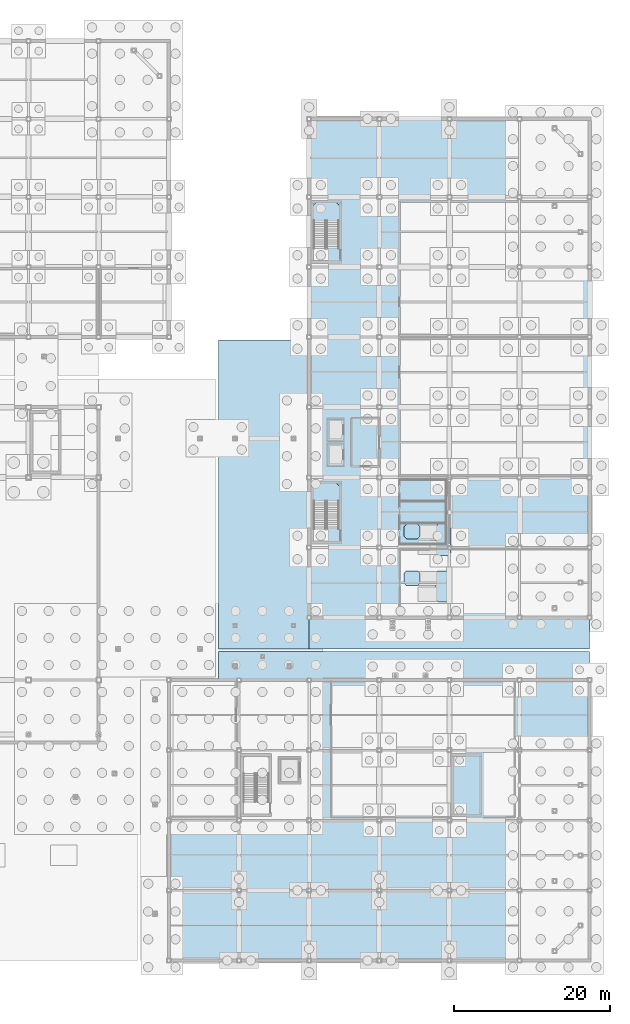
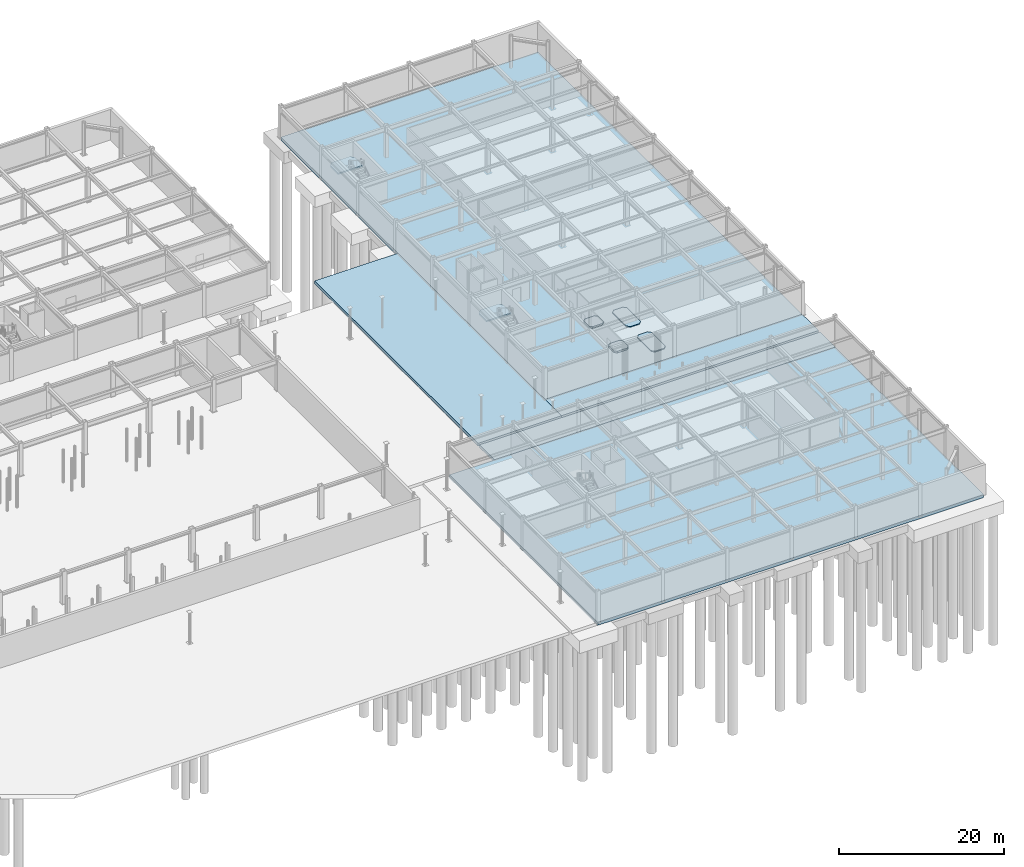
# One storey, part 45 of 74: 11 slabs, 4 elements without a shape of their own.
"""IFC4 building model written with IfcOpenShell, lengths in metres."""

from ifc_helpers import new_model, si_unit, direction, frame, origin, place, context, subcontext, project, spatial, polyline, outline, extrude, material, layer, layer_set, type_object, element, aggregate, save


model = new_model("IFC4")

# Units and contexts
model_context = context("Model", 3, precision=1e-05, world=origin(), true_north=direction((0.0, 1.0)))
body_context = subcontext(model_context, "Body", "Model", "MODEL_VIEW")
ifc_project = project(units=[si_unit("LENGTHUNIT", "METRE"), si_unit("AREAUNIT", "SQUARE_METRE"), si_unit("VOLUMEUNIT", "CUBIC_METRE"), si_unit("PLANEANGLEUNIT", "RADIAN"), si_unit("MASSUNIT", "GRAM", prefix="KILO")], contexts=[model_context])

# Site, building, storey
site_placement = place(None, origin())
site = spatial("IfcSite", under=ifc_project, at=site_placement, CompositionType="ELEMENT")
building_placement = place(site_placement, origin())
building = spatial("IfcBuilding", under=site, at=building_placement, Name="Suzunagisa Mobility Hub", CompositionType="ELEMENT")
storey_placement = place(building_placement, frame((0.0, 0.0, -4.800048828125)))
storey = spatial("IfcBuildingStorey", under=building, at=storey_placement, Name="B1", CompositionType="ELEMENT", Elevation=-4.800048828125)

# Slabs
ifc_material_1 = material(Name="Concrete C35/45", Category="concrete")
ifc_layer_1 = layer(ifc_material_1, 0.419921875)
ifc_layer_set_1 = layer_set([ifc_layer_1], Name="Concrete C35/45")
slab_type_1 = type_object("IfcSlabType", Name="Composite Slab SL-05 420mm", PredefinedType="BASESLAB", material=ifc_layer_set_1)
slab_1_placement = place(storey_placement, frame((0.0, 0.0, -0.419921875)))
element("IfcSlab", 1, at=slab_1_placement, inside=storey, type_object=slab_type_1, Name="B1 V6S North Joint Margin Mat", PredefinedType="BASESLAB", context=body_context, shape_type="SweptSolid", body=[
    extrude(outline(polyline([(132.35009765625, 36.0), (180.0, 36.0), (180.0, 39.64990234375), (132.35009765625, 39.64990234375), (132.35009765625, 36.0)])), origin(), (0.0, 0.0, 1.0), 0.419921875),
])
slab_2_placement = place(storey_placement, frame((0.0, 0.0, -0.419921875)))
element("IfcSlab", 2, at=slab_2_placement, inside=storey, type_object=slab_type_1, Name="B1 V6N West Courtyard Foundation Mat", PredefinedType="BASESLAB", context=body_context, shape_type="SweptSolid", body=[
    extrude(outline(polyline([(132.35009765625, 40.0), (144.0, 40.0), (144.0, 79.64990234375), (132.35009765625, 79.64990234375), (132.35009765625, 40.0)])), origin(), (0.0, 0.0, 1.0), 0.419921875),
])
slab_3_placement = place(storey_placement, frame((0.0, 0.0, -0.419921875)))
element("IfcSlab", 3, at=slab_3_placement, inside=storey, type_object=slab_type_1, Name="B1 V6N South Link Foundation Mat", PredefinedType="BASESLAB", context=body_context, shape_type="SweptSolid", body=[
    extrude(outline(polyline([(144.0, 40.0), (180.0, 40.0), (180.0, 44.0), (144.0, 44.0), (144.0, 40.0)])), origin(), (0.0, 0.0, 1.0), 0.419921875),
])

# Ramp, slab
ifc_material_2 = material(Name="Concrete C30/37", Category="concrete")
ramp_type = type_object("IfcRampType", Name="Barrier-Free Pedestrian Two-Run Ramp PR-2R", PredefinedType="TWO_STRAIGHT_RUN_RAMP", material=ifc_material_2)
ramp_1_placement = place(storey_placement, origin())
ramp_1 = element("IfcRamp", 4, at=ramp_1_placement, inside=storey, type_object=ramp_type, Name="Barrier-Free Service Platform Two-Run Ramp PR-07", PredefinedType="TWO_STRAIGHT_RUN_RAMP")
slab_4_placement = place(storey_placement, origin())
slab_4 = element("IfcSlab", 5, at=slab_4_placement, type_object=slab_type_1, Name="Barrier-Free Ramp Mid-Landing PR-07-L1", PredefinedType="BASESLAB", context=body_context, shape_type="SweptSolid", body=[
    extrude(outline(polyline([(160.550048828125, 46.0), (161.85009765625, 46.0), (162.199951171875, 46.35009765625), (162.199951171875, 49.64990234375), (161.85009765625, 50.0), (160.550048828125, 50.0), (160.199951171875, 49.64990234375), (160.199951171875, 46.35009765625), (160.550048828125, 46.0)])), origin(), (0.0, 0.0, 1.0), 0.1201171875),
])
aggregate(ramp_1, [slab_4])

# Slab
slab_5_placement = place(storey_placement, origin())
element("IfcSlab", 6, at=slab_5_placement, inside=storey, type_object=slab_type_1, Name="Barrier-Free Upper Service Pad PR-07", PredefinedType="BASESLAB", context=body_context, shape_type="SweptSolid", body=[
    extrude(outline(polyline([(156.5, 48.10009765625), (157.89990234375, 48.10009765625), (158.199951171875, 48.39990234375), (158.199951171875, 49.699951171875), (157.89990234375, 50.0), (156.5, 50.0), (156.199951171875, 49.699951171875), (156.199951171875, 48.39990234375), (156.5, 48.10009765625)])), origin(), (0.0, 0.0, 1.0), 0.239990234375),
])

# Ramp, slab
ramp_2_placement = place(storey_placement, origin())
ramp_2 = element("IfcRamp", 7, at=ramp_2_placement, inside=storey, type_object=ramp_type, Name="Barrier-Free Service Platform Two-Run Ramp PR-08", PredefinedType="TWO_STRAIGHT_RUN_RAMP")
slab_6_placement = place(storey_placement, origin())
slab_6 = element("IfcSlab", 8, at=slab_6_placement, type_object=slab_type_1, Name="Barrier-Free Ramp Mid-Landing PR-08-L1", PredefinedType="BASESLAB", context=body_context, shape_type="SweptSolid", body=[
    extrude(outline(polyline([(160.550048828125, 52.0), (161.85009765625, 52.0), (162.199951171875, 52.35009765625), (162.199951171875, 55.64990234375), (161.85009765625, 56.0), (160.550048828125, 56.0), (160.199951171875, 55.64990234375), (160.199951171875, 52.35009765625), (160.550048828125, 52.0)])), origin(), (0.0, 0.0, 1.0), 0.1201171875),
])
aggregate(ramp_2, [slab_6])

# Slabs
slab_7_placement = place(storey_placement, origin())
element("IfcSlab", 9, at=slab_7_placement, inside=storey, type_object=slab_type_1, Name="Barrier-Free Upper Service Pad PR-08", PredefinedType="BASESLAB", context=body_context, shape_type="SweptSolid", body=[
    extrude(outline(polyline([(156.5, 54.10009765625), (157.89990234375, 54.10009765625), (158.199951171875, 54.39990234375), (158.199951171875, 55.699951171875), (157.89990234375, 56.0), (156.5, 56.0), (156.199951171875, 55.699951171875), (156.199951171875, 54.39990234375), (156.5, 54.10009765625)])), origin(), (0.0, 0.0, 1.0), 0.239990234375),
])
ifc_layer_2 = layer(ifc_material_1, 0.449951171875)
ifc_layer_set_2 = layer_set([ifc_layer_2], Name="Concrete C35/45")
slab_type_2 = type_object("IfcSlabType", Name="Composite Slab SL-08 450mm", PredefinedType="BASESLAB", material=ifc_layer_set_2)
slab_8_placement = place(storey_placement, frame((0.0, 0.0, -0.449951171875)))
element("IfcSlab", 10, at=slab_8_placement, inside=storey, type_object=slab_type_2, Name="B1 V6S Baseslab Slab", PredefinedType="BASESLAB", context=body_context, shape_type="SweptSolid", body=[
    extrude(outline(polyline([(126.0, 0.0), (180.0, 0.0), (180.0, 36.0), (126.0, 36.0), (126.0, 0.0)])), origin(), (0.0, 0.0, 1.0), 0.449951171875),
])
slab_9_placement = place(storey_placement, frame((0.0, 0.0, -0.449951171875)))
element("IfcSlab", 11, at=slab_9_placement, inside=storey, type_object=slab_type_2, Name="B1 V6N Baseslab Slab", PredefinedType="BASESLAB", context=body_context, shape_type="SweptSolid", body=[
    extrude(outline(polyline([(144.0, 44.0), (180.0, 44.0), (180.0, 108.0), (144.0, 108.0), (144.0, 44.0)])), origin(), (0.0, 0.0, 1.0), 0.449951171875),
])

# Stair, slab
stair_type_1 = type_object("IfcStairType", Name="Dog-Leg Core Escape Stair ST-11 W1560", PredefinedType="HALF_TURN_STAIR", material=ifc_material_1)
stair_1_placement = place(storey_placement, origin())
stair_1 = element("IfcStair", 12, at=stair_1_placement, inside=storey, type_object=stair_type_1, Name="B1 Core C5 Escape Stair ST-11", PredefinedType="HALF_TURN_STAIR")
ifc_layer_3 = layer(ifc_material_1, 0.199951171875)
ifc_layer_set_3 = layer_set([ifc_layer_3], Name="Concrete C35/45")
slab_type_3 = type_object("IfcSlabType", Name="Core Stair Half-Landing Slab SL-SLND", PredefinedType="LANDING", material=ifc_layer_set_3)
slab_10_placement = place(storey_placement, frame((0.0, 0.0, 2.199951171875)))
slab_10 = element("IfcSlab", 13, at=slab_10_placement, type_object=slab_type_3, Name="ST-11 landing 1", PredefinedType="LANDING", context=body_context, shape_type="SweptSolid", body=[
    extrude(outline(polyline([(144.4599609375, 58.919921875), (147.93994140625, 58.919921875), (147.93994140625, 60.820068359375), (147.4599609375, 61.300048828125), (144.93994140625, 61.300048828125), (144.4599609375, 60.820068359375), (144.4599609375, 58.919921875)])), origin(), (0.0, 0.0, 1.0), 0.2001953125),
])
aggregate(stair_1, [slab_10])

stair_type_2 = type_object("IfcStairType", Name="Dog-Leg Core Escape Stair ST-12 W1560", PredefinedType="HALF_TURN_STAIR", material=ifc_material_1)
stair_2_placement = place(storey_placement, origin())
stair_2 = element("IfcStair", 14, at=stair_2_placement, inside=storey, type_object=stair_type_2, Name="B1 Core C5B Escape Stair ST-12", PredefinedType="HALF_TURN_STAIR")
slab_11_placement = place(storey_placement, frame((0.0, 0.0, 2.199951171875)))
slab_11 = element("IfcSlab", 15, at=slab_11_placement, type_object=slab_type_3, Name="ST-12 landing 1", PredefinedType="LANDING", context=body_context, shape_type="SweptSolid", body=[
    extrude(outline(polyline([(144.4599609375, 94.919921875), (147.93994140625, 94.919921875), (147.93994140625, 96.820068359375), (147.4599609375, 97.300048828125), (144.93994140625, 97.300048828125), (144.4599609375, 96.820068359375), (144.4599609375, 94.919921875)])), origin(), (0.0, 0.0, 1.0), 0.2001953125),
])
aggregate(stair_2, [slab_11])

save(model, "model.ifc")
